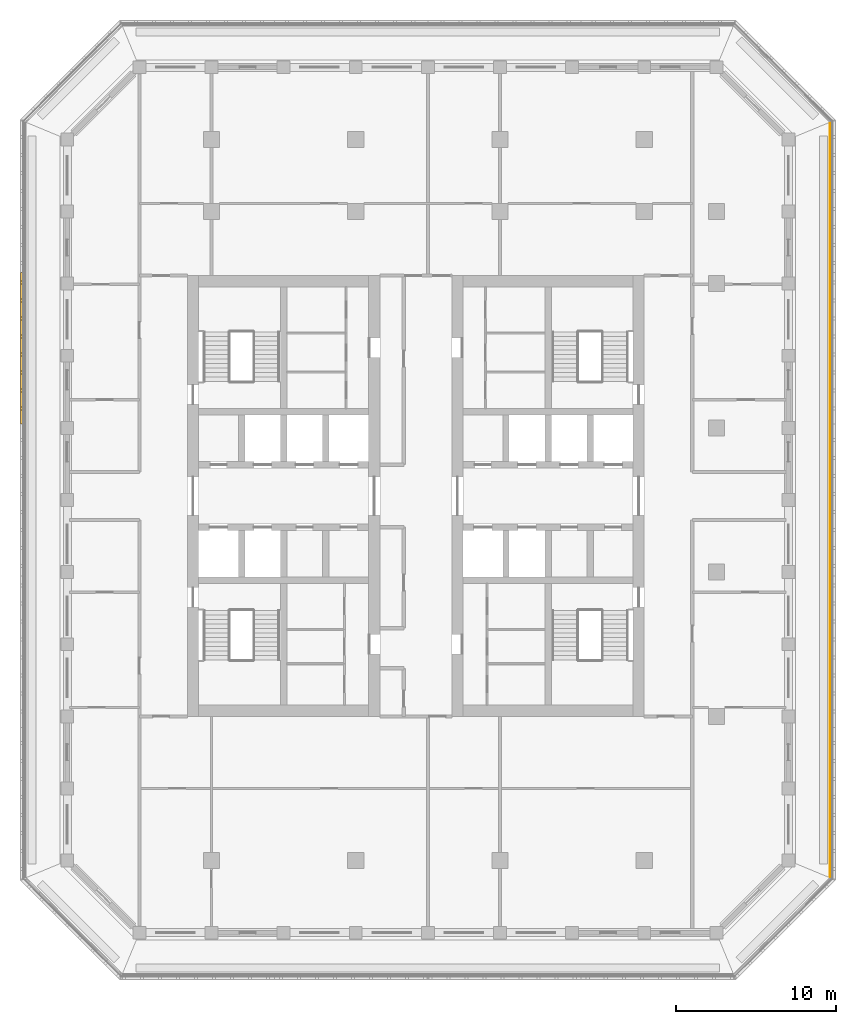
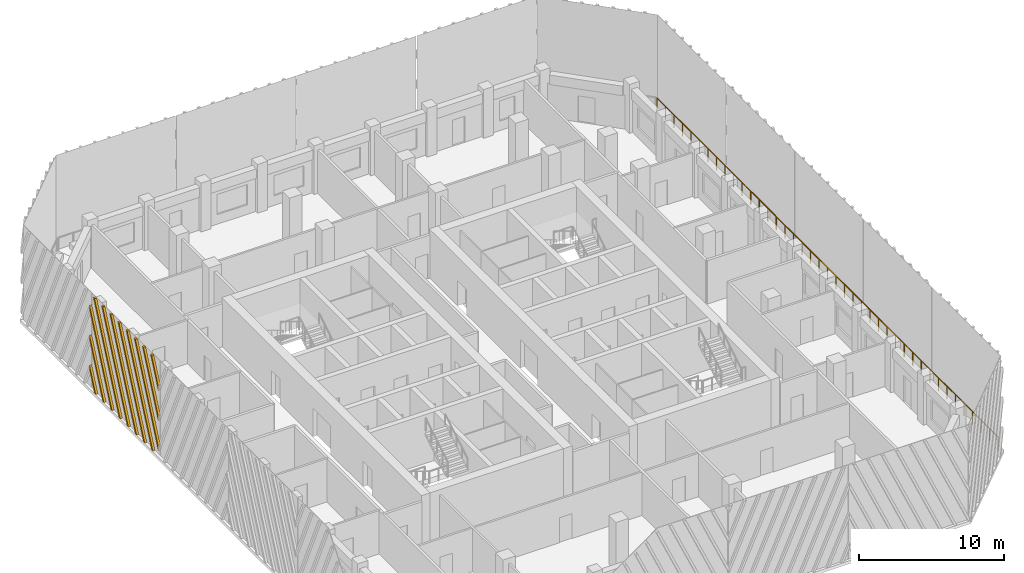
# One storey, part 13 of 17: 1 railing, 1 shading device.
"""IFC4 building model written with IfcOpenShell, lengths in metres."""

from ifc_helpers import new_model, si_unit, direction, frame, origin, origin_2d, place, context, subcontext, project, spatial, polyline, circle, outline, extrude, source, transform, mapped, material, type_object, element, save


model = new_model("IFC4")

# Units and contexts
model_context = context("Model", 3, precision=1e-05, world=origin(), true_north=direction((0.0, 1.0)))
body_context = subcontext(model_context, "Body", "Model", "MODEL_VIEW")
ifc_project = project(units=[si_unit("LENGTHUNIT", "METRE"), si_unit("AREAUNIT", "SQUARE_METRE"), si_unit("VOLUMEUNIT", "CUBIC_METRE"), si_unit("PLANEANGLEUNIT", "RADIAN"), si_unit("MASSUNIT", "GRAM", prefix="KILO")], contexts=[model_context])

# Site, building, storey
site_placement = place(None, origin())
site = spatial("IfcSite", under=ifc_project, at=site_placement, CompositionType="ELEMENT")
building_placement = place(site_placement, origin())
building = spatial("IfcBuilding", under=site, at=building_placement, Name="Corbel Stack Research Tower", CompositionType="ELEMENT")
storey_placement = place(building_placement, frame((0.0, 0.0, 248.0)))
storey = spatial("IfcBuildingStorey", under=building, at=storey_placement, Name="L56", CompositionType="ELEMENT", Elevation=248.0)

# Railing
ifc_material_1 = material(Name="Powder-coated steel guard", Category="steel")
railing_type = type_object("IfcRailingType", Name="Steel and glass guard 1100", PredefinedType="GUARDRAIL", material=ifc_material_1)
railing_placement = place(storey_placement, frame((29.60009765625, -19.00537109375, 0.0)))
element("IfcRailing", 1, at=railing_placement, inside=storey, type_object=railing_type, Name="Loggia guard L56 E", PredefinedType="GUARDRAIL", context=body_context, shape_type="SweptSolid", body=[
    extrude(circle(Radius=0.02392578125, at=origin_2d()), frame((0.0, 0.0, 1.076171875), z_axis=(0.0, 1.0, 0.0), x_axis=(-1.0, 0.0, 0.0)), (0.0, 0.0, 1.0), 47.0107421875),
    extrude(circle(Radius=0.02099609375, at=origin_2d()), origin(), (0.0, 0.0, 1.0), 1.052001953125),
    extrude(circle(Radius=0.02099609375, at=origin_2d()), frame((0.0, 1.17529296875, 0.0)), (0.0, 0.0, 1.0), 1.052001953125),
    extrude(circle(Radius=0.02099609375, at=origin_2d()), frame((0.0, 2.3505859375, 0.0)), (0.0, 0.0, 1.0), 1.052001953125),
    extrude(circle(Radius=0.02099609375, at=origin_2d()), frame((0.0, 3.52587890625, 0.0)), (0.0, 0.0, 1.0), 1.052001953125),
    extrude(circle(Radius=0.02099609375, at=origin_2d()), frame((0.0, 4.701171875, 0.0)), (0.0, 0.0, 1.0), 1.052001953125),
    extrude(circle(Radius=0.02099609375, at=origin_2d()), frame((0.0, 5.87646484375, 0.0)), (0.0, 0.0, 1.0), 1.052001953125),
    extrude(circle(Radius=0.02099609375, at=origin_2d()), frame((0.0, 7.051513671875, 0.0)), (0.0, 0.0, 1.0), 1.052001953125),
    extrude(circle(Radius=0.02099609375, at=origin_2d()), frame((0.0, 8.226806640625, 0.0)), (0.0, 0.0, 1.0), 1.052001953125),
    extrude(circle(Radius=0.02099609375, at=origin_2d()), frame((0.0, 9.402099609375, 0.0)), (0.0, 0.0, 1.0), 1.052001953125),
    extrude(circle(Radius=0.02099609375, at=origin_2d()), frame((0.0, 10.577392578125, 0.0)), (0.0, 0.0, 1.0), 1.052001953125),
    extrude(circle(Radius=0.02099609375, at=origin_2d()), frame((0.0, 11.752685546875, 0.0)), (0.0, 0.0, 1.0), 1.052001953125),
    extrude(circle(Radius=0.02099609375, at=origin_2d()), frame((0.0, 12.927978515625, 0.0)), (0.0, 0.0, 1.0), 1.052001953125),
    extrude(circle(Radius=0.02099609375, at=origin_2d()), frame((0.0, 14.103271484375, 0.0)), (0.0, 0.0, 1.0), 1.052001953125),
    extrude(circle(Radius=0.02099609375, at=origin_2d()), frame((0.0, 15.278564453125, 0.0)), (0.0, 0.0, 1.0), 1.052001953125),
    extrude(circle(Radius=0.02099609375, at=origin_2d()), frame((0.0, 16.453857421875, 0.0)), (0.0, 0.0, 1.0), 1.052001953125),
    extrude(circle(Radius=0.02099609375, at=origin_2d()), frame((0.0, 17.62890625, 0.0)), (0.0, 0.0, 1.0), 1.052001953125),
    extrude(circle(Radius=0.02099609375, at=origin_2d()), frame((0.0, 18.80419921875, 0.0)), (0.0, 0.0, 1.0), 1.052001953125),
    extrude(circle(Radius=0.02099609375, at=origin_2d()), frame((0.0, 19.9794921875, 0.0)), (0.0, 0.0, 1.0), 1.052001953125),
    extrude(circle(Radius=0.02099609375, at=origin_2d()), frame((0.0, 21.15478515625, 0.0)), (0.0, 0.0, 1.0), 1.052001953125),
    extrude(circle(Radius=0.02099609375, at=origin_2d()), frame((0.0, 22.330078125, 0.0)), (0.0, 0.0, 1.0), 1.052001953125),
    extrude(circle(Radius=0.02099609375, at=origin_2d()), frame((0.0, 23.50537109375, 0.0)), (0.0, 0.0, 1.0), 1.052001953125),
    extrude(circle(Radius=0.02099609375, at=origin_2d()), frame((0.0, 24.6806640625, 0.0)), (0.0, 0.0, 1.0), 1.052001953125),
    extrude(circle(Radius=0.02099609375, at=origin_2d()), frame((0.0, 25.85595703125, 0.0)), (0.0, 0.0, 1.0), 1.052001953125),
    extrude(circle(Radius=0.02099609375, at=origin_2d()), frame((0.0, 27.03125, 0.0)), (0.0, 0.0, 1.0), 1.052001953125),
    extrude(circle(Radius=0.02099609375, at=origin_2d()), frame((0.0, 28.20654296875, 0.0)), (0.0, 0.0, 1.0), 1.052001953125),
    extrude(circle(Radius=0.02099609375, at=origin_2d()), frame((0.0, 29.3818359375, 0.0)), (0.0, 0.0, 1.0), 1.052001953125),
    extrude(circle(Radius=0.02099609375, at=origin_2d()), frame((0.0, 30.556884765625, 0.0)), (0.0, 0.0, 1.0), 1.052001953125),
    extrude(circle(Radius=0.02099609375, at=origin_2d()), frame((0.0, 31.732177734375, 0.0)), (0.0, 0.0, 1.0), 1.052001953125),
    extrude(circle(Radius=0.02099609375, at=origin_2d()), frame((0.0, 32.907470703125, 0.0)), (0.0, 0.0, 1.0), 1.052001953125),
    extrude(circle(Radius=0.02099609375, at=origin_2d()), frame((0.0, 34.082763671875, 0.0)), (0.0, 0.0, 1.0), 1.052001953125),
    extrude(circle(Radius=0.02099609375, at=origin_2d()), frame((0.0, 35.258056640625, 0.0)), (0.0, 0.0, 1.0), 1.052001953125),
    extrude(circle(Radius=0.02099609375, at=origin_2d()), frame((0.0, 36.433349609375, 0.0)), (0.0, 0.0, 1.0), 1.052001953125),
    extrude(circle(Radius=0.02099609375, at=origin_2d()), frame((0.0, 37.608642578125, 0.0)), (0.0, 0.0, 1.0), 1.052001953125),
    extrude(circle(Radius=0.02099609375, at=origin_2d()), frame((0.0, 38.783935546875, 0.0)), (0.0, 0.0, 1.0), 1.052001953125),
    extrude(circle(Radius=0.02099609375, at=origin_2d()), frame((0.0, 39.959228515625, 0.0)), (0.0, 0.0, 1.0), 1.052001953125),
    extrude(circle(Radius=0.02099609375, at=origin_2d()), frame((0.0, 41.13427734375, 0.0)), (0.0, 0.0, 1.0), 1.052001953125),
    extrude(circle(Radius=0.02099609375, at=origin_2d()), frame((0.0, 42.3095703125, 0.0)), (0.0, 0.0, 1.0), 1.052001953125),
    extrude(circle(Radius=0.02099609375, at=origin_2d()), frame((0.0, 43.48486328125, 0.0)), (0.0, 0.0, 1.0), 1.052001953125),
    extrude(circle(Radius=0.02099609375, at=origin_2d()), frame((0.0, 44.66015625, 0.0)), (0.0, 0.0, 1.0), 1.052001953125),
    extrude(circle(Radius=0.02099609375, at=origin_2d()), frame((0.0, 45.83544921875, 0.0)), (0.0, 0.0, 1.0), 1.052001953125),
    extrude(circle(Radius=0.02099609375, at=origin_2d()), frame((0.0, 47.0107421875, 0.0)), (0.0, 0.0, 1.0), 1.052001953125),
])

# Shading device
ifc_material_2 = material(Name="Precast terracotta", Category="masonry")
shading_device_type = type_object("IfcShadingDeviceType", Name="Terracotta screen panel", PredefinedType="USERDEFINED", material=ifc_material_2)
shared_shape = source(origin(), body_context, "Body", "SweptSolid", [
    extrude(outline(polyline([(0.862060546875, 0.0), (0.0, 1.936279296875), (0.0, 1.509521484375), (0.672119140625, 0.0), (0.862060546875, 0.0)])), frame((0.0, 0.0, 0.0), z_axis=(0.0, -1.0, 0.0), x_axis=(1.0, 0.0, 0.0)), (0.0, 0.0, 1.0), 0.179931640625),
    extrude(outline(polyline([(1.987060546875, 0.0), (0.0, 4.463134765625), (0.0, 4.036376953125), (1.797119140625, 0.0), (1.987060546875, 0.0)])), frame((0.0, 0.0, 0.0), z_axis=(0.0, -1.0, 0.0), x_axis=(1.0, 0.0, 0.0)), (0.0, 0.0, 1.0), 0.179931640625),
    extrude(outline(polyline([(3.112060546875, 0.0), (0.0, 6.989990234375), (0.0, 6.563232421875), (2.922119140625, 0.0), (3.112060546875, 0.0)])), frame((0.0, 0.0, 0.0), z_axis=(0.0, -1.0, 0.0), x_axis=(1.0, 0.0, 0.0)), (0.0, 0.0, 1.0), 0.179931640625),
    extrude(outline(polyline([(4.237060546875, 0.0), (0.697509765625, 7.949951171875), (0.507568359375, 7.949951171875), (4.047119140625, 0.0), (4.237060546875, 0.0)])), frame((0.0, 0.0, 0.0), z_axis=(0.0, -1.0, 0.0), x_axis=(1.0, 0.0, 0.0)), (0.0, 0.0, 1.0), 0.179931640625),
    extrude(outline(polyline([(5.362060546875, 0.0), (1.822509765625, 7.949951171875), (1.632568359375, 7.949951171875), (5.172119140625, 0.0), (5.362060546875, 0.0)])), frame((0.0, 0.0, 0.0), z_axis=(0.0, -1.0, 0.0), x_axis=(1.0, 0.0, 0.0)), (0.0, 0.0, 1.0), 0.179931640625),
    extrude(outline(polyline([(6.487060546875, 0.0), (2.947509765625, 7.949951171875), (2.757568359375, 7.949951171875), (6.297119140625, 0.0), (6.487060546875, 0.0)])), frame((0.0, 0.0, 0.0), z_axis=(0.0, -1.0, 0.0), x_axis=(1.0, 0.0, 0.0)), (0.0, 0.0, 1.0), 0.179931640625),
    extrude(outline(polyline([(7.612060546875, 0.0), (4.072509765625, 7.949951171875), (3.882568359375, 7.949951171875), (7.422119140625, 0.0), (7.612060546875, 0.0)])), frame((0.0, 0.0, 0.0), z_axis=(0.0, -1.0, 0.0), x_axis=(1.0, 0.0, 0.0)), (0.0, 0.0, 1.0), 0.179931640625),
    extrude(outline(polyline([(8.737060546875, 0.0), (5.197509765625, 7.949951171875), (5.007568359375, 7.949951171875), (8.547119140625, 0.0), (8.737060546875, 0.0)])), frame((0.0, 0.0, 0.0), z_axis=(0.0, -1.0, 0.0), x_axis=(1.0, 0.0, 0.0)), (0.0, 0.0, 1.0), 0.179931640625),
    extrude(outline(polyline([(6.322509765625, 7.949951171875), (6.132568359375, 7.949951171875), (9.45556640625, 0.486328125), (9.45556640625, 0.9130859375), (6.322509765625, 7.949951171875)])), frame((0.0, 0.0, 0.0), z_axis=(0.0, -1.0, 0.0), x_axis=(1.0, 0.0, 0.0)), (0.0, 0.0, 1.0), 0.179931640625),
    extrude(outline(polyline([(7.447509765625, 7.949951171875), (7.257568359375, 7.949951171875), (9.45556640625, 3.01318359375), (9.45556640625, 3.439697265625), (7.447509765625, 7.949951171875)])), frame((0.0, 0.0, 0.0), z_axis=(0.0, -1.0, 0.0), x_axis=(1.0, 0.0, 0.0)), (0.0, 0.0, 1.0), 0.179931640625),
    extrude(outline(polyline([(8.572509765625, 7.949951171875), (8.382568359375, 7.949951171875), (9.45556640625, 5.539794921875), (9.45556640625, 5.966552734375), (8.572509765625, 7.949951171875)])), frame((0.0, 0.0, 0.0), z_axis=(0.0, -1.0, 0.0), x_axis=(1.0, 0.0, 0.0)), (0.0, 0.0, 1.0), 0.179931640625),
])
shading_device_placement = place(storey_placement, frame((-20.75, 18.68359375, 0.0), z_axis=(0.0, 0.0, 1.0), x_axis=(0.0, -1.0, 0.0)))
element("IfcShadingDevice", 2, at=shading_device_placement, inside=storey, type_object=shading_device_type, Name="Terracotta screen L56 W2", ObjectType="SCREEN", PredefinedType="USERDEFINED", context=body_context, shape_type="MappedRepresentation", body=[
    mapped(shared_shape, transform((0.0, 0.0, 0.0))),
])

save(model, "model.ifc")
